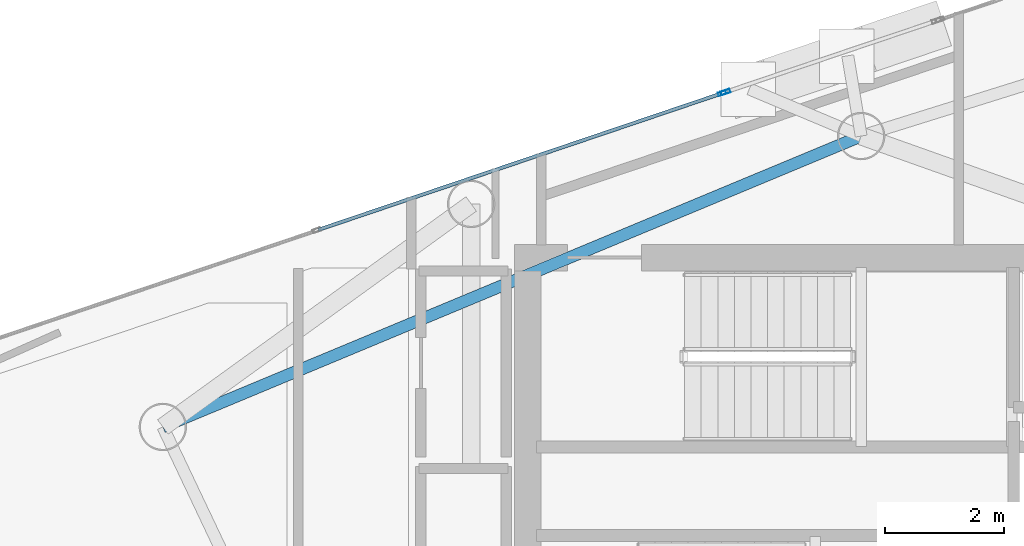
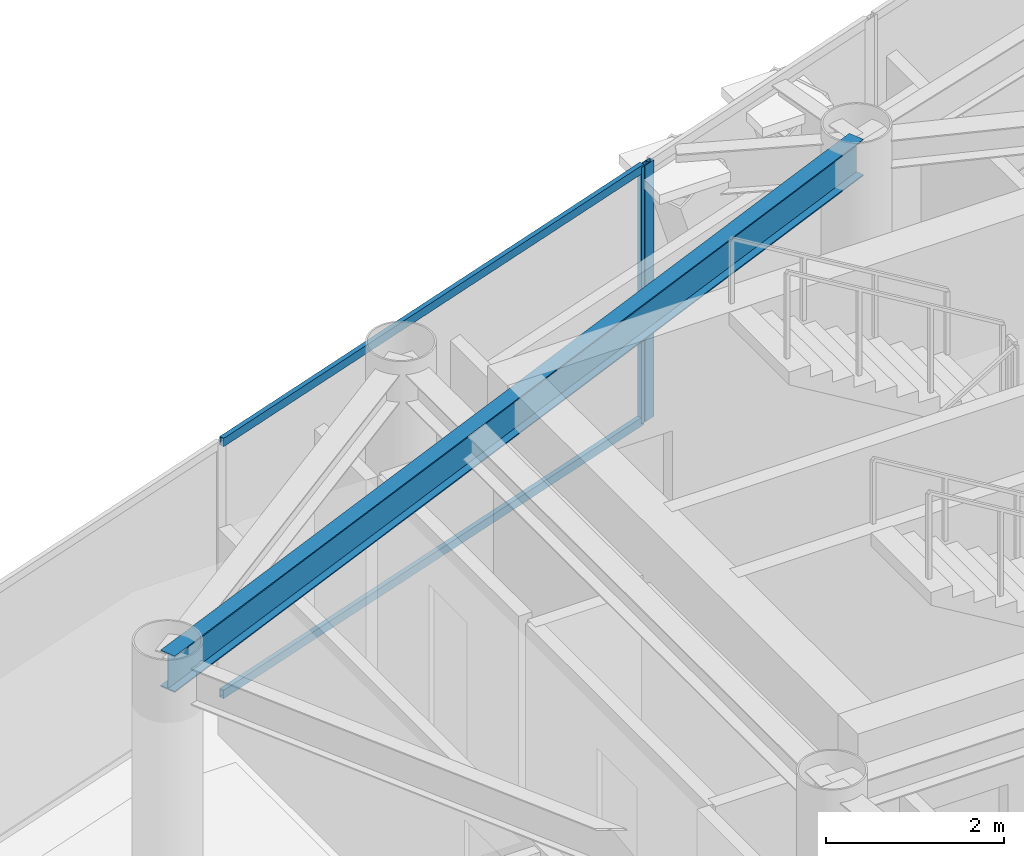
# One storey, part 10 of 19: 4 members, 1 beam, 2 elements without a shape of their own.
"""IFC4 building model written with IfcOpenShell, lengths in metres."""

from ifc_helpers import new_model, si_unit, direction, frame, origin, origin_2d, place, context, subcontext, project, spatial, hollow_rectangle, i_section, extrude, material, layer, layer_set, material_profile, profile_set, type_object, element, aggregate, save


model = new_model("IFC4")

# Units and contexts
model_context = context("Model", 3, precision=1e-05, world=origin(), true_north=direction((0.0, 1.0)))
body_context = subcontext(model_context, "Body", "Model", "MODEL_VIEW")
ifc_project = project(units=[si_unit("LENGTHUNIT", "METRE"), si_unit("AREAUNIT", "SQUARE_METRE"), si_unit("VOLUMEUNIT", "CUBIC_METRE"), si_unit("PLANEANGLEUNIT", "RADIAN"), si_unit("MASSUNIT", "GRAM", prefix="KILO")], contexts=[model_context])

# Site, building, storey
site_placement = place(None, origin())
site = spatial("IfcSite", under=ifc_project, at=site_placement, CompositionType="ELEMENT")
building_placement = place(site_placement, origin())
building = spatial("IfcBuilding", under=site, at=building_placement, Name="Qianvela Tower", CompositionType="ELEMENT")
storey_placement = place(building_placement, frame((0.0, 0.0, 333.300048828125)))
storey = spatial("IfcBuildingStorey", under=building, at=storey_placement, Name="L86", CompositionType="ELEMENT", Elevation=333.300048828125)

# Beam
ifc_material_1 = material(Name="Steel Q355B", Category="steel")
ifc_material_profile_1 = material_profile(ifc_material_1, i_section(OverallWidth=0.199951171875, OverallDepth=0.5, WebThickness=0.010009765625, FlangeThickness=0.01611328125, at=origin_2d()), Name="HN500x200x10x16")
ifc_profile_set_1 = profile_set([ifc_material_profile_1], Name="Steel Q355B")
beam_type = type_object("IfcBeamType", Name="BM-HN500-GIRD", PredefinedType="BEAM", material=ifc_profile_set_1)
beam_placement = place(storey_placement, frame((35.177001953125, 34.695068359375, 3.26806640625), z_axis=(-0.923108058734, -0.384540650517, 0.0), x_axis=(0.384540650517, -0.923108058734, 0.0)))
element("IfcBeam", 1, at=beam_placement, inside=storey, type_object=beam_type, Name="L86 Perimeter Ring Spandrel Girder 2", PredefinedType="BEAM", context=body_context, shape_type="SweptSolid", body=[
    extrude(i_section(OverallWidth=0.199951171875, OverallDepth=0.5, WebThickness=0.010009765625, FlangeThickness=0.01611328125, at=origin_2d()), origin(), (0.0, 0.0, 1.0), 12.758056640625),
])

# Curtain wall, member
ifc_material_2 = material(Name="Anodised Architectural Aluminium and Insulated Spandrel Panel", Category="aluminium")
ifc_layer_1 = layer(ifc_material_2, 0.179931640625)
ifc_layer_set_1 = layer_set([ifc_layer_1], Name="Anodised Architectural Aluminium and Insulated Spandrel Panel")
curtain_wall_type_1 = type_object("IfcCurtainWallType", Name="CW-BRACEBAY", PredefinedType="USERDEFINED", material=ifc_layer_set_1)
curtain_wall_1_placement = place(storey_placement, origin())
curtain_wall_1 = element("IfcCurtainWall", 2, at=curtain_wall_1_placement, inside=storey, type_object=curtain_wall_type_1, Name="L86 CW-BRACEBAY Curtain Wall 02B", ObjectType="CURTAIN_WALL_SYSTEM", PredefinedType="USERDEFINED")
ifc_material_3 = material(Name="Anodised Architectural Aluminium 6063-T6", Category="aluminium")
ifc_material_profile_2 = material_profile(ifc_material_3, hollow_rectangle(XDim=0.06494140625, YDim=0.159912109375, WallThickness=0.0048828125, at=origin_2d()), Name="ALU-MULL-65x160")
ifc_profile_set_2 = profile_set([ifc_material_profile_2], Name="Anodised Architectural Aluminium 6063-T6")
member_type_1 = type_object("IfcMemberType", Name="CW-BRACEBAY-MULL", PredefinedType="MULLION", material=ifc_profile_set_2)
member_1_placement = place(storey_placement, frame((32.890869140625, 35.436767578125, 0.0), z_axis=(0.0, 0.0, 1.0), x_axis=(0.320394896863, -0.947284070416, 0.0)))
member_1 = element("IfcMember", 3, at=member_1_placement, type_object=member_type_1, Name="CW-9 mullion 2", PredefinedType="MULLION", context=body_context, shape_type="SweptSolid", body=[
    extrude(hollow_rectangle(XDim=0.06494140625, YDim=0.159912109375, WallThickness=0.0048828125, at=origin_2d()), origin(), (0.0, 0.0, 1.0), 3.52001953125),
])
aggregate(curtain_wall_1, [member_1])

# Curtain wall, members
ifc_material_4 = material(Name="Anodised Architectural Aluminium and Low-E Glass", Category="aluminium")
ifc_layer_2 = layer(ifc_material_4, 0.14990234375)
ifc_layer_set_2 = layer_set([ifc_layer_2], Name="Anodised Architectural Aluminium and Low-E Glass")
curtain_wall_type_2 = type_object("IfcCurtainWallType", Name="CW-COLIV-Z78", PredefinedType="USERDEFINED", material=ifc_layer_set_2)
curtain_wall_2_placement = place(storey_placement, origin())
curtain_wall_2 = element("IfcCurtainWall", 4, at=curtain_wall_2_placement, inside=storey, type_object=curtain_wall_type_2, Name="L86 CW-COLIV-Z78 Curtain Wall 02C", ObjectType="CURTAIN_WALL_SYSTEM", PredefinedType="USERDEFINED")
ifc_material_5 = material(Name="Anodised Architectural Aluminium 6063-T6", Category="aluminium")
ifc_material_profile_3 = material_profile(ifc_material_5, hollow_rectangle(XDim=0.06005859375, YDim=0.139892578125, WallThickness=0.00439453125, at=origin_2d()), Name="ALU-MULL-60x140")
ifc_profile_set_3 = profile_set([ifc_material_profile_3], Name="Anodised Architectural Aluminium 6063-T6")
member_type_2 = type_object("IfcMemberType", Name="CW-COLIV-Z78-MULL", PredefinedType="MULLION", material=ifc_profile_set_3)
member_2_placement = place(storey_placement, frame((32.831787109375, 35.416748046875, 0.0), z_axis=(0.0, 0.0, 1.0), x_axis=(0.320399874285, -0.947282386914, 0.0)))
member_2 = element("IfcMember", 5, at=member_2_placement, type_object=member_type_2, Name="CW-6 mullion 1", PredefinedType="MULLION", context=body_context, shape_type="SweptSolid", body=[
    extrude(hollow_rectangle(XDim=0.06005859375, YDim=0.139892578125, WallThickness=0.00439453125, at=origin_2d()), origin(), (0.0, 0.0, 1.0), 3.52001953125),
])
ifc_material_6 = material(Name="Anodised Architectural Aluminium 6063-T6", Category="aluminium")
ifc_material_profile_4 = material_profile(ifc_material_6, hollow_rectangle(XDim=0.06005859375, YDim=0.114990234375, WallThickness=0.00390625, at=origin_2d()), Name="ALU-TRAN-60x115")
ifc_profile_set_4 = profile_set([ifc_material_profile_4], Name="Anodised Architectural Aluminium 6063-T6")
member_type_3 = type_object("IfcMemberType", Name="CW-COLIV-Z78-TRAN", PredefinedType="USERDEFINED", material=ifc_profile_set_4)
member_3_placement = place(storey_placement, frame((32.80322265625, 35.4072265625, 0.030029296875), z_axis=(-0.947276010004, -0.320418727404, 0.0), x_axis=(0.320418727404, -0.947276010004, 0.0)))
member_3 = element("IfcMember", 6, at=member_3_placement, type_object=member_type_3, Name="CW-6 transom 1.1", ObjectType="TRANSOM", PredefinedType="USERDEFINED", context=body_context, shape_type="SweptSolid", body=[
    extrude(hollow_rectangle(XDim=0.06005859375, YDim=0.114990234375, WallThickness=0.00390625, at=origin_2d()), origin(), (0.0, 0.0, 1.0), 7.159912109375),
])
member_4_placement = place(storey_placement, frame((32.80322265625, 35.4072265625, 3.489990234375), z_axis=(-0.947276010004, -0.320418727404, 0.0), x_axis=(0.320418727404, -0.947276010004, 0.0)))
member_4 = element("IfcMember", 7, at=member_4_placement, type_object=member_type_3, Name="CW-6 transom 1.2", ObjectType="TRANSOM", PredefinedType="USERDEFINED", context=body_context, shape_type="SweptSolid", body=[
    extrude(hollow_rectangle(XDim=0.06005859375, YDim=0.114990234375, WallThickness=0.00390625, at=origin_2d()), origin(), (0.0, 0.0, 1.0), 7.159912109375),
])
aggregate(curtain_wall_2, [member_2, member_3, member_4])

save(model, "model.ifc")
